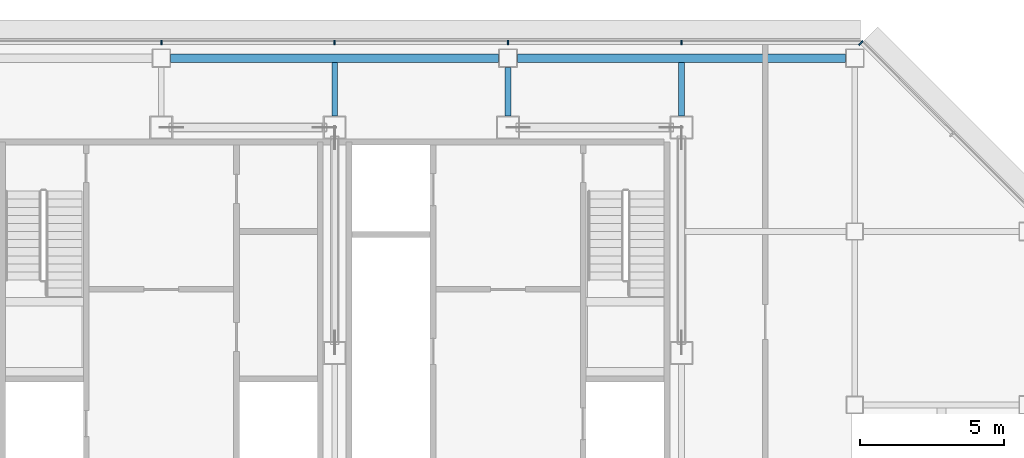
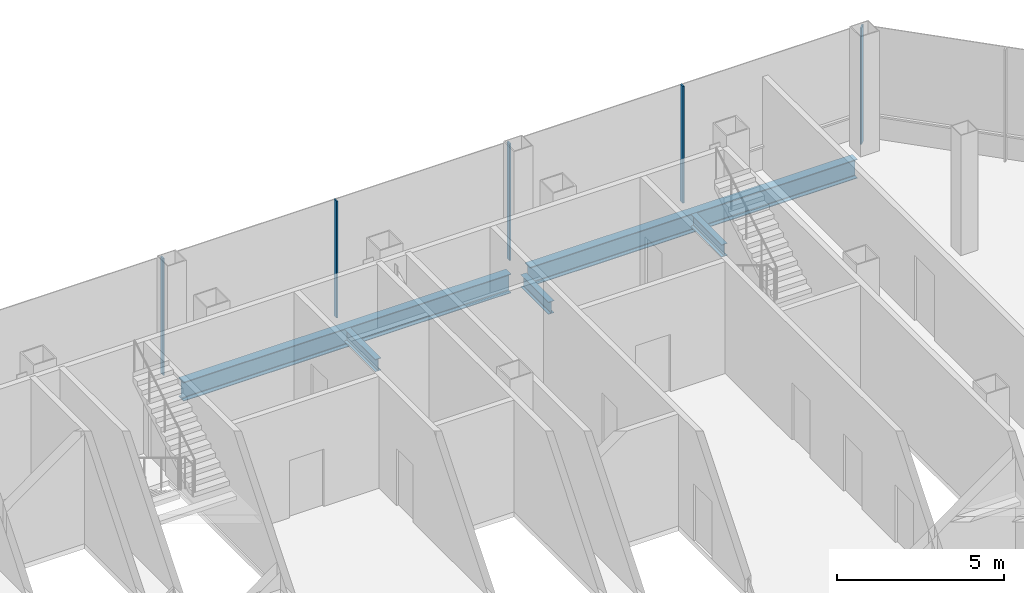
# One storey, part 16 of 30: 5 beams, 5 members, 2 elements without a shape of their own.
"""IFC4 building model written with IfcOpenShell, lengths in metres."""

from ifc_helpers import new_model, si_unit, direction, frame, origin, origin_2d, place, context, subcontext, project, spatial, rectangle, i_section, extrude, material, material_profile, profile_set, type_object, element, aggregate, save


model = new_model("IFC4")

# Units and contexts
model_context = context("Model", 3, precision=1e-05, world=origin(), true_north=direction((0.0, 1.0)))
body_context = subcontext(model_context, "Body", "Model", "MODEL_VIEW")
ifc_project = project(units=[si_unit("LENGTHUNIT", "METRE"), si_unit("AREAUNIT", "SQUARE_METRE"), si_unit("VOLUMEUNIT", "CUBIC_METRE"), si_unit("PLANEANGLEUNIT", "RADIAN"), si_unit("MASSUNIT", "GRAM", prefix="KILO")], contexts=[model_context])

# Site, building, storey
site_placement = place(None, origin())
site = spatial("IfcSite", under=ifc_project, at=site_placement, CompositionType="ELEMENT")
building_placement = place(site_placement, origin())
building = spatial("IfcBuilding", under=site, at=building_placement, Name="Sorahane Residences", CompositionType="ELEMENT")
storey_placement = place(building_placement, frame((0.0, 0.0, 229.800048828125)))
storey = spatial("IfcBuildingStorey", under=building, at=storey_placement, Name="L54", CompositionType="ELEMENT", Elevation=229.800048828125)

# Curtain wall, members
ifc_material_1 = material(Name="Dark low-e glass and black anodised aluminium", Category="aluminium")
curtain_wall_type_1 = type_object("IfcCurtainWallType", Name="Curtain wall CW-1 Typical unitised wall", PredefinedType="NOTDEFINED", material=ifc_material_1)
curtain_wall_1_placement = place(storey_placement, origin())
curtain_wall_1 = element("IfcCurtainWall", 1, at=curtain_wall_1_placement, inside=storey, type_object=curtain_wall_type_1, Name="CW-1 curtain wall L54 N2", PredefinedType="NOTDEFINED")
ifc_material_2 = material(Name="Black anodised aluminium", Category="aluminium")
ifc_material_profile_1 = material_profile(ifc_material_2, rectangle(XDim=0.159912109375, YDim=0.050048828125, at=origin_2d()), Name="Curtain wall mullion CW-1 black anodised aluminium 50x160")
ifc_profile_set_1 = profile_set([ifc_material_profile_1], Name="Black anodised aluminium")
member_type_1 = type_object("IfcMemberType", Name="Curtain wall mullion CW-1 black anodised aluminium 50x160", PredefinedType="MULLION", material=ifc_profile_set_1)
member_1_placement = place(storey_placement, frame((42.0, 48.5400390625, -0.179931640625), z_axis=(0.0, 0.0, 1.0), x_axis=(0.0, 1.0, 0.0)))
member_1 = element("IfcMember", 2, at=member_1_placement, type_object=member_type_1, Name="CW-1 mullion L54 N2.2", PredefinedType="MULLION", context=body_context, shape_type="SweptSolid", body=[
    extrude(rectangle(XDim=0.159912109375, YDim=0.050048828125, at=origin_2d()), origin(), (0.0, 0.0, 1.0), 4.27978515625),
])
member_2_placement = place(storey_placement, frame((36.0, 48.5400390625, -0.179931640625), z_axis=(0.0, 0.0, 1.0), x_axis=(0.0, 1.0, 0.0)))
member_2 = element("IfcMember", 3, at=member_2_placement, type_object=member_type_1, Name="CW-1 mullion L54 N2.3", PredefinedType="MULLION", context=body_context, shape_type="SweptSolid", body=[
    extrude(rectangle(XDim=0.159912109375, YDim=0.050048828125, at=origin_2d()), origin(), (0.0, 0.0, 1.0), 4.27978515625),
])
member_3_placement = place(storey_placement, frame((30.0, 48.5400390625, -0.179931640625), z_axis=(0.0, 0.0, 1.0), x_axis=(0.0, 1.0, 0.0)))
member_3 = element("IfcMember", 4, at=member_3_placement, type_object=member_type_1, Name="CW-1 mullion L54 N2.4", PredefinedType="MULLION", context=body_context, shape_type="SweptSolid", body=[
    extrude(rectangle(XDim=0.159912109375, YDim=0.050048828125, at=origin_2d()), origin(), (0.0, 0.0, 1.0), 4.27978515625),
])
member_4_placement = place(storey_placement, frame((24.0, 48.5400390625, -0.179931640625), z_axis=(0.0, 0.0, 1.0), x_axis=(0.0, 1.0, 0.0)))
member_4 = element("IfcMember", 5, at=member_4_placement, type_object=member_type_1, Name="CW-1 mullion L54 N2.5", PredefinedType="MULLION", context=body_context, shape_type="SweptSolid", body=[
    extrude(rectangle(XDim=0.159912109375, YDim=0.050048828125, at=origin_2d()), origin(), (0.0, 0.0, 1.0), 4.27978515625),
])
aggregate(curtain_wall_1, [member_1, member_2, member_3, member_4])

# Curtain wall, member
ifc_material_3 = material(Name="Dark low-e glass and black anodised aluminium", Category="aluminium")
curtain_wall_type_2 = type_object("IfcCurtainWallType", Name="Curtain wall CW-2 Chamfer unitised wall", PredefinedType="NOTDEFINED", material=ifc_material_3)
curtain_wall_2_placement = place(storey_placement, origin())
curtain_wall_2 = element("IfcCurtainWall", 6, at=curtain_wall_2_placement, inside=storey, type_object=curtain_wall_type_2, Name="CW-2 curtain wall L54 NE1", PredefinedType="NOTDEFINED")
ifc_material_4 = material(Name="Black anodised aluminium", Category="aluminium")
ifc_material_profile_2 = material_profile(ifc_material_4, rectangle(XDim=0.199951171875, YDim=0.050048828125, at=origin_2d()), Name="Curtain wall mullion CW-2 black anodised aluminium 50x200")
ifc_profile_set_2 = profile_set([ifc_material_profile_2], Name="Black anodised aluminium")
member_type_2 = type_object("IfcMemberType", Name="Curtain wall mullion CW-2 black anodised aluminium 50x200", PredefinedType="MULLION", material=ifc_profile_set_2)
member_5_placement = place(storey_placement, frame((48.209716796875, 48.525634765625, -0.179931640625), z_axis=(0.0, 0.0, 1.0), x_axis=(0.707106781187, 0.707106781187, 0.0)))
member_5 = element("IfcMember", 7, at=member_5_placement, type_object=member_type_2, Name="CW-2 mullion L54 NE1.3", PredefinedType="MULLION", context=body_context, shape_type="SweptSolid", body=[
    extrude(rectangle(XDim=0.199951171875, YDim=0.050048828125, at=origin_2d()), origin(), (0.0, 0.0, 1.0), 4.27978515625),
])
aggregate(curtain_wall_2, [member_5])

# Beams
ifc_material_5 = material(Name="Steel Q355B", Category="steel")
ifc_material_profile_3 = material_profile(ifc_material_5, i_section(OverallWidth=0.199951171875, OverallDepth=0.449951171875, WebThickness=0.009033203125, FlangeThickness=0.013916015625, FilletRadius=0.02001953125, at=origin_2d()), Name="HN 450x200x9x14")
ifc_profile_set_3 = profile_set([ifc_material_profile_3], Name="Steel Q355B")
beam_type_1 = type_object("IfcBeamType", Name="Steel floor beam HN 450x200x9x14 Q355B", PredefinedType="BEAM", material=ifc_profile_set_3)
beam_1_placement = place(storey_placement, frame((30.0, 46.0, -0.405029296875), z_axis=(0.0, 1.0, 0.0), x_axis=(-1.0, 0.0, 0.0)))
element("IfcBeam", 8, at=beam_1_placement, inside=storey, type_object=beam_type_1, Name="Beam L54 049", PredefinedType="BEAM", context=body_context, shape_type="SweptSolid", body=[
    extrude(i_section(OverallWidth=0.199951171875, OverallDepth=0.449951171875, WebThickness=0.009033203125, FlangeThickness=0.013916015625, FilletRadius=0.02001953125, at=origin_2d()), origin(), (0.0, 0.0, 1.0), 1.85009765625),
])
beam_2_placement = place(storey_placement, frame((36.0, 46.0, -0.405029296875), z_axis=(0.0, 1.0, 0.0), x_axis=(-1.0, 0.0, 0.0)))
element("IfcBeam", 9, at=beam_2_placement, inside=storey, type_object=beam_type_1, Name="Beam L54 051", PredefinedType="BEAM", context=body_context, shape_type="SweptSolid", body=[
    extrude(i_section(OverallWidth=0.199951171875, OverallDepth=0.449951171875, WebThickness=0.009033203125, FlangeThickness=0.013916015625, FilletRadius=0.02001953125, at=origin_2d()), origin(), (0.0, 0.0, 1.0), 1.675048828125),
])
beam_3_placement = place(storey_placement, frame((42.0, 46.0, -0.405029296875), z_axis=(0.0, 1.0, 0.0), x_axis=(-1.0, 0.0, 0.0)))
element("IfcBeam", 10, at=beam_3_placement, inside=storey, type_object=beam_type_1, Name="Beam L54 057", PredefinedType="BEAM", context=body_context, shape_type="SweptSolid", body=[
    extrude(i_section(OverallWidth=0.199951171875, OverallDepth=0.449951171875, WebThickness=0.009033203125, FlangeThickness=0.013916015625, FilletRadius=0.02001953125, at=origin_2d()), origin(), (0.0, 0.0, 1.0), 1.85009765625),
])
ifc_material_6 = material(Name="Steel Q355B", Category="steel")
ifc_material_profile_4 = material_profile(ifc_material_6, i_section(OverallWidth=0.300048828125, OverallDepth=0.699951171875, WebThickness=0.012939453125, FlangeThickness=0.02392578125, FilletRadius=0.028076171875, at=origin_2d()), Name="HN 700x300x13x24")
ifc_profile_set_4 = profile_set([ifc_material_profile_4], Name="Steel Q355B")
beam_type_2 = type_object("IfcBeamType", Name="Steel floor beam HN 700x300x13x24 Q355B", PredefinedType="BEAM", material=ifc_profile_set_4)
for number, where, z_axis, x_axis, name in (
    (11, (24.324951171875, 48.0, -0.530029296875), (1.0, 0.0, 0.0), (0.0, 1.0, 0.0), "Beam L54 018"),
    (12, (36.324951171875, 48.0, -0.530029296875), (1.0, 0.0, 0.0), (0.0, 1.0, 0.0), "Beam L54 019"),
):
    element("IfcBeam", number, at=place(storey_placement, frame(where, z_axis=z_axis, x_axis=x_axis)), inside=storey, type_object=beam_type_2, Name=name, PredefinedType="BEAM", context=body_context, shape_type="SweptSolid", body=[
        extrude(i_section(OverallWidth=0.300048828125, OverallDepth=0.699951171875, WebThickness=0.012939453125, FlangeThickness=0.02392578125, FilletRadius=0.028076171875, at=origin_2d()), origin(), (0.0, 0.0, 1.0), 11.35009765625),
    ])

save(model, "model.ifc")
